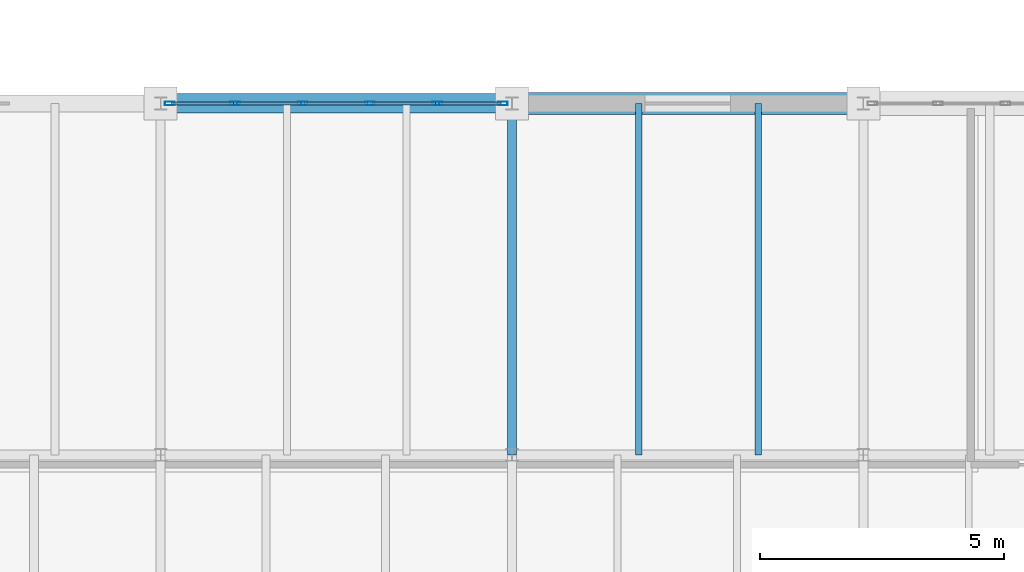
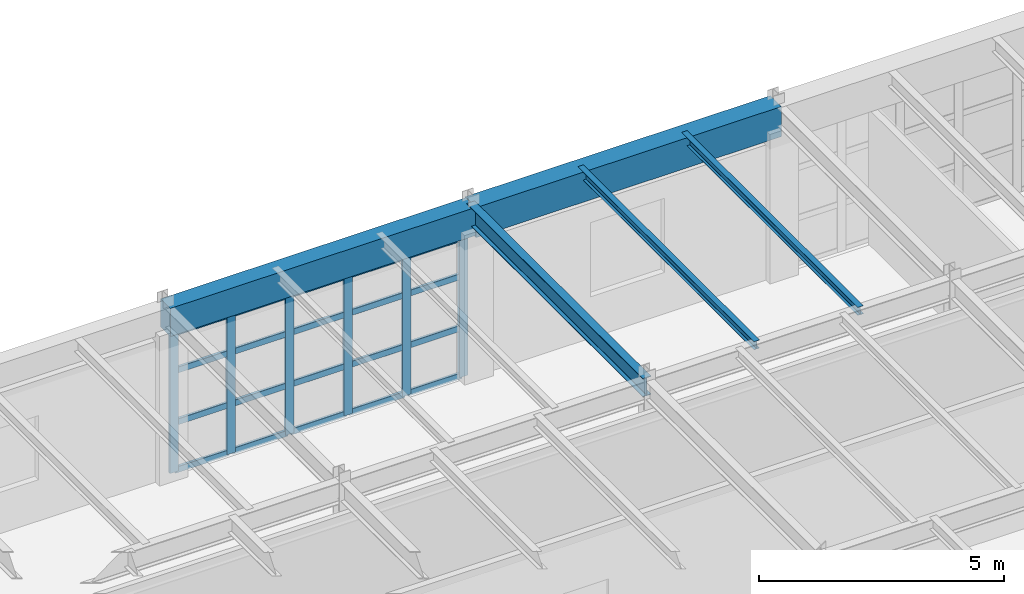
# One storey, part 72 of 137: 26 members, 5 beams, 1 element without a shape of its own.
"""IFC4 building model written with IfcOpenShell, lengths in metres."""

from ifc_helpers import new_model, si_unit, direction, frame, origin, origin_2d, place, context, subcontext, project, spatial, rectangle, hollow_rectangle, i_section, extrude, material, layer, layer_set, material_profile, profile_set, type_object, element, aggregate, save


model = new_model("IFC4")

# Units and contexts
model_context = context("Model", 3, precision=1e-05, world=origin(), true_north=direction((0.0, 1.0)))
body_context = subcontext(model_context, "Body", "Model", "MODEL_VIEW")
ifc_project = project(units=[si_unit("LENGTHUNIT", "METRE"), si_unit("AREAUNIT", "SQUARE_METRE"), si_unit("VOLUMEUNIT", "CUBIC_METRE"), si_unit("PLANEANGLEUNIT", "RADIAN"), si_unit("MASSUNIT", "GRAM", prefix="KILO")], contexts=[model_context])

# Site, building, storey
site_placement = place(None, origin())
site = spatial("IfcSite", under=ifc_project, at=site_placement, CompositionType="ELEMENT")
building_placement = place(site_placement, origin())
building = spatial("IfcBuilding", under=site, at=building_placement, Name="Kemerveld Promenade Tramway Depot", CompositionType="ELEMENT")
storey_placement = place(building_placement, frame((0.0, 0.0, 5.39990234375)))
storey = spatial("IfcBuildingStorey", under=building, at=storey_placement, Name="L01", CompositionType="ELEMENT", Elevation=5.39990234375)

# Beams
ifc_material_1 = material(Name="Steel S355", Category="steel")
ifc_material_profile_1 = material_profile(ifc_material_1, i_section(OverallWidth=0.19140625, OverallDepth=0.4599609375, WebThickness=0.010009765625, FlangeThickness=0.01611328125, FilletRadius=0.01025390625, at=origin_2d()), Name="457x191x82 UB")
ifc_profile_set_1 = profile_set([ifc_material_profile_1], Name="Steel S355")
beam_type_1 = type_object("IfcBeamType", Name="BM-G06", PredefinedType="BEAM", material=ifc_profile_set_1)
beam_1_placement = place(storey_placement, frame((136.800048828125, 21.60009765625, 4.030029296875), z_axis=(0.0, 1.0, 0.0), x_axis=(-1.0, 0.0, 0.0)))
element("IfcBeam", 1, at=beam_1_placement, inside=storey, type_object=beam_type_1, Name="BMY-L01-20-D-E", PredefinedType="BEAM", context=body_context, shape_type="SweptSolid", body=[
    extrude(i_section(OverallWidth=0.19140625, OverallDepth=0.4599609375, WebThickness=0.010009765625, FlangeThickness=0.01611328125, FilletRadius=0.01025390625, at=origin_2d()), origin(), (0.0, 0.0, 1.0), 7.199951171875),
])
ifc_material_profile_2 = material_profile(ifc_material_1, i_section(OverallWidth=0.13330078125, OverallDepth=0.203125, WebThickness=0.005615234375, FlangeThickness=0.0078125, FilletRadius=0.007568359375, at=origin_2d()), Name="203x133x25 UB")
ifc_profile_set_2 = profile_set([ifc_material_profile_2], Name="Steel S355")
beam_type_2 = type_object("IfcBeamType", Name="BM-J03", PredefinedType="JOIST", material=ifc_profile_set_2)
for number, where, z_axis, x_axis, name in (
    (2, (139.39208984375, 21.60009765625, 4.158447265625), (0.0, 1.0, 0.0), (-1.0, 0.0, 0.0), "JST-L01-20-D-1"),
    (3, (141.840087890625, 21.60009765625, 4.158447265625), (0.0, 1.0, 0.0), (-1.0, 0.0, 0.0), "JST-L01-20-D-2"),
):
    element("IfcBeam", number, at=place(storey_placement, frame(where, z_axis=z_axis, x_axis=x_axis)), inside=storey, type_object=beam_type_2, Name=name, PredefinedType="JOIST", context=body_context, shape_type="SweptSolid", body=[
        extrude(i_section(OverallWidth=0.13330078125, OverallDepth=0.203125, WebThickness=0.005615234375, FlangeThickness=0.0078125, FilletRadius=0.007568359375, at=origin_2d()), origin(), (0.0, 0.0, 1.0), 7.199951171875),
    ])
ifc_material_2 = material(Name="Concrete C40/50", Category="concrete")
ifc_material_profile_3 = material_profile(ifc_material_2, rectangle(XDim=0.39990234375, YDim=0.699951171875, at=origin_2d()), Name="RC-BM-400x700")
ifc_profile_set_3 = profile_set([ifc_material_profile_3], Name="Concrete C40/50")
beam_type_3 = type_object("IfcBeamType", Name="BM-RC5", PredefinedType="BEAM", material=ifc_profile_set_3)
beam_2_placement = place(storey_placement, frame((129.60009765625, 28.800048828125, 3.900146484375), z_axis=(1.0, 0.0, 0.0), x_axis=(0.0, 1.0, 0.0)))
element("IfcBeam", 4, at=beam_2_placement, inside=storey, type_object=beam_type_3, Name="BMX-L01-19-20-E", PredefinedType="BEAM", context=body_context, shape_type="SweptSolid", body=[
    extrude(rectangle(XDim=0.39990234375, YDim=0.699951171875, at=origin_2d()), origin(), (0.0, 0.0, 1.0), 7.199951171875),
])
ifc_material_profile_4 = material_profile(ifc_material_2, rectangle(XDim=0.449951171875, YDim=0.75, at=origin_2d()), Name="RC-BM-450x750")
ifc_profile_set_4 = profile_set([ifc_material_profile_4], Name="Concrete C40/50")
beam_type_4 = type_object("IfcBeamType", Name="BM-RC6", PredefinedType="BEAM", material=ifc_profile_set_4)
beam_3_placement = place(storey_placement, frame((136.800048828125, 28.800048828125, 3.885009765625), z_axis=(1.0, 0.0, 0.0), x_axis=(0.0, 1.0, 0.0)))
element("IfcBeam", 5, at=beam_3_placement, inside=storey, type_object=beam_type_4, Name="BMX-L01-20-21-E", PredefinedType="BEAM", context=body_context, shape_type="SweptSolid", body=[
    extrude(rectangle(XDim=0.449951171875, YDim=0.75, at=origin_2d()), origin(), (0.0, 0.0, 1.0), 7.199951171875),
])

# Curtain wall, members
ifc_material_3 = material(Name="Bronze anodised aluminium and solar glass", Category="aluminium")
ifc_layer = layer(ifc_material_3, 0.199951171875)
ifc_layer_set = layer_set([ifc_layer], Name="CW-SYS-14")
curtain_wall_type = type_object("IfcCurtainWallType", Name="CW-SYS-14", PredefinedType="USERDEFINED", material=ifc_layer_set)
curtain_wall_placement = place(storey_placement, origin())
curtain_wall = element("IfcCurtainWall", 6, at=curtain_wall_placement, inside=storey, type_object=curtain_wall_type, Name="CW-L01-V4N-11", ObjectType="GLAZED_CURTAIN_WALL", PredefinedType="USERDEFINED")
ifc_material_4 = material(Name="Bronze anodised aluminium", Category="aluminium")
ifc_material_profile_5 = material_profile(ifc_material_4, hollow_rectangle(XDim=0.074951171875, YDim=0.199951171875, WallThickness=0.0048828125, InnerFilletRadius=0.001953125, OuterFilletRadius=0.0048828125, at=origin_2d()), Name="CW-MUL-200x75")
ifc_profile_set_5 = profile_set([ifc_material_profile_5], Name="Bronze anodised aluminium")
member_type_1 = type_object("IfcMemberType", Name="CW-MUL-B", PredefinedType="MULLION", material=ifc_profile_set_5)
member_1_placement = place(storey_placement, frame((129.78759765625, 28.800048828125, 0.0), z_axis=(0.0, 0.0, 1.0), x_axis=(0.0, 1.0, 0.0)))
member_1 = element("IfcMember", 7, at=member_1_placement, type_object=member_type_1, Name="CW14 mullion 1", PredefinedType="MULLION", context=body_context, shape_type="SweptSolid", body=[
    extrude(hollow_rectangle(XDim=0.074951171875, YDim=0.199951171875, WallThickness=0.0048828125, InnerFilletRadius=0.001953125, OuterFilletRadius=0.0048828125, at=origin_2d()), origin(), (0.0, 0.0, 1.0), 3.489990234375),
])
member_2_placement = place(storey_placement, frame((131.130126953125, 28.800048828125, 0.0), z_axis=(0.0, 0.0, 1.0), x_axis=(0.0, 1.0, 0.0)))
member_2 = element("IfcMember", 8, at=member_2_placement, type_object=member_type_1, Name="CW14 mullion 2", PredefinedType="MULLION", context=body_context, shape_type="SweptSolid", body=[
    extrude(hollow_rectangle(XDim=0.074951171875, YDim=0.199951171875, WallThickness=0.0048828125, InnerFilletRadius=0.001953125, OuterFilletRadius=0.0048828125, at=origin_2d()), origin(), (0.0, 0.0, 1.0), 3.489990234375),
])
member_3_placement = place(storey_placement, frame((132.510009765625, 28.800048828125, 0.0), z_axis=(0.0, 0.0, 1.0), x_axis=(0.0, 1.0, 0.0)))
member_3 = element("IfcMember", 9, at=member_3_placement, type_object=member_type_1, Name="CW14 mullion 3", PredefinedType="MULLION", context=body_context, shape_type="SweptSolid", body=[
    extrude(hollow_rectangle(XDim=0.074951171875, YDim=0.199951171875, WallThickness=0.0048828125, InnerFilletRadius=0.001953125, OuterFilletRadius=0.0048828125, at=origin_2d()), origin(), (0.0, 0.0, 1.0), 3.489990234375),
])
member_4_placement = place(storey_placement, frame((133.889892578125, 28.800048828125, 0.0), z_axis=(0.0, 0.0, 1.0), x_axis=(0.0, 1.0, 0.0)))
member_4 = element("IfcMember", 10, at=member_4_placement, type_object=member_type_1, Name="CW14 mullion 4", PredefinedType="MULLION", context=body_context, shape_type="SweptSolid", body=[
    extrude(hollow_rectangle(XDim=0.074951171875, YDim=0.199951171875, WallThickness=0.0048828125, InnerFilletRadius=0.001953125, OuterFilletRadius=0.0048828125, at=origin_2d()), origin(), (0.0, 0.0, 1.0), 3.489990234375),
])
member_5_placement = place(storey_placement, frame((135.27001953125, 28.800048828125, 0.0), z_axis=(0.0, 0.0, 1.0), x_axis=(0.0, 1.0, 0.0)))
member_5 = element("IfcMember", 11, at=member_5_placement, type_object=member_type_1, Name="CW14 mullion 5", PredefinedType="MULLION", context=body_context, shape_type="SweptSolid", body=[
    extrude(hollow_rectangle(XDim=0.074951171875, YDim=0.199951171875, WallThickness=0.0048828125, InnerFilletRadius=0.001953125, OuterFilletRadius=0.0048828125, at=origin_2d()), origin(), (0.0, 0.0, 1.0), 3.489990234375),
])
member_6_placement = place(storey_placement, frame((136.6123046875, 28.800048828125, 0.0), z_axis=(0.0, 0.0, 1.0), x_axis=(0.0, 1.0, 0.0)))
member_6 = element("IfcMember", 12, at=member_6_placement, type_object=member_type_1, Name="CW14 mullion 6", PredefinedType="MULLION", context=body_context, shape_type="SweptSolid", body=[
    extrude(hollow_rectangle(XDim=0.074951171875, YDim=0.199951171875, WallThickness=0.0048828125, InnerFilletRadius=0.001953125, OuterFilletRadius=0.0048828125, at=origin_2d()), origin(), (0.0, 0.0, 1.0), 3.489990234375),
])
ifc_material_profile_6 = material_profile(ifc_material_4, hollow_rectangle(XDim=0.06494140625, YDim=0.14990234375, WallThickness=0.00439453125, InnerFilletRadius=0.001953125, OuterFilletRadius=0.00439453125, at=origin_2d()), Name="CW-TRN-150x65")
ifc_profile_set_6 = profile_set([ifc_material_profile_6], Name="Bronze anodised aluminium")
member_type_2 = type_object("IfcMemberType", Name="CW-TRN-B", PredefinedType="USERDEFINED", material=ifc_profile_set_6)
member_7_placement = place(storey_placement, frame((129.8251953125, 28.800048828125, 0.03271484375), z_axis=(1.0, 0.0, 0.0), x_axis=(0.0, 1.0, 0.0)))
member_7 = element("IfcMember", 13, at=member_7_placement, type_object=member_type_2, Name="CW14 transom 1.1", ObjectType="TRANSOM", PredefinedType="USERDEFINED", context=body_context, shape_type="SweptSolid", body=[
    extrude(hollow_rectangle(XDim=0.06494140625, YDim=0.14990234375, WallThickness=0.00439453125, InnerFilletRadius=0.001953125, OuterFilletRadius=0.00439453125, at=origin_2d()), origin(), (0.0, 0.0, 1.0), 1.267333984375),
])
member_8_placement = place(storey_placement, frame((129.8251953125, 28.800048828125, 1.22216796875), z_axis=(1.0, 0.0, 0.0), x_axis=(0.0, 1.0, 0.0)))
member_8 = element("IfcMember", 14, at=member_8_placement, type_object=member_type_2, Name="CW14 transom 1.2", ObjectType="TRANSOM", PredefinedType="USERDEFINED", context=body_context, shape_type="SweptSolid", body=[
    extrude(hollow_rectangle(XDim=0.06494140625, YDim=0.14990234375, WallThickness=0.00439453125, InnerFilletRadius=0.001953125, OuterFilletRadius=0.00439453125, at=origin_2d()), origin(), (0.0, 0.0, 1.0), 1.267333984375),
])
member_9_placement = place(storey_placement, frame((129.8251953125, 28.800048828125, 2.51318359375), z_axis=(1.0, 0.0, 0.0), x_axis=(0.0, 1.0, 0.0)))
member_9 = element("IfcMember", 15, at=member_9_placement, type_object=member_type_2, Name="CW14 transom 1.3", ObjectType="TRANSOM", PredefinedType="USERDEFINED", context=body_context, shape_type="SweptSolid", body=[
    extrude(hollow_rectangle(XDim=0.06494140625, YDim=0.14990234375, WallThickness=0.00439453125, InnerFilletRadius=0.001953125, OuterFilletRadius=0.00439453125, at=origin_2d()), origin(), (0.0, 0.0, 1.0), 1.267333984375),
])
member_10_placement = place(storey_placement, frame((129.8251953125, 28.800048828125, 3.45751953125), z_axis=(1.0, 0.0, 0.0), x_axis=(0.0, 1.0, 0.0)))
member_10 = element("IfcMember", 16, at=member_10_placement, type_object=member_type_2, Name="CW14 transom 1.4", ObjectType="TRANSOM", PredefinedType="USERDEFINED", context=body_context, shape_type="SweptSolid", body=[
    extrude(hollow_rectangle(XDim=0.06494140625, YDim=0.14990234375, WallThickness=0.00439453125, InnerFilletRadius=0.001953125, OuterFilletRadius=0.00439453125, at=origin_2d()), origin(), (0.0, 0.0, 1.0), 1.267333984375),
])
member_11_placement = place(storey_placement, frame((131.16748046875, 28.800048828125, 0.03271484375), z_axis=(1.0, 0.0, 0.0), x_axis=(0.0, 1.0, 0.0)))
member_11 = element("IfcMember", 17, at=member_11_placement, type_object=member_type_2, Name="CW14 transom 2.1", ObjectType="TRANSOM", PredefinedType="USERDEFINED", context=body_context, shape_type="SweptSolid", body=[
    extrude(hollow_rectangle(XDim=0.06494140625, YDim=0.14990234375, WallThickness=0.00439453125, InnerFilletRadius=0.001953125, OuterFilletRadius=0.00439453125, at=origin_2d()), origin(), (0.0, 0.0, 1.0), 1.304931640625),
])
member_12_placement = place(storey_placement, frame((131.16748046875, 28.800048828125, 1.22216796875), z_axis=(1.0, 0.0, 0.0), x_axis=(0.0, 1.0, 0.0)))
member_12 = element("IfcMember", 18, at=member_12_placement, type_object=member_type_2, Name="CW14 transom 2.2", ObjectType="TRANSOM", PredefinedType="USERDEFINED", context=body_context, shape_type="SweptSolid", body=[
    extrude(hollow_rectangle(XDim=0.06494140625, YDim=0.14990234375, WallThickness=0.00439453125, InnerFilletRadius=0.001953125, OuterFilletRadius=0.00439453125, at=origin_2d()), origin(), (0.0, 0.0, 1.0), 1.304931640625),
])
member_13_placement = place(storey_placement, frame((131.16748046875, 28.800048828125, 2.51318359375), z_axis=(1.0, 0.0, 0.0), x_axis=(0.0, 1.0, 0.0)))
member_13 = element("IfcMember", 19, at=member_13_placement, type_object=member_type_2, Name="CW14 transom 2.3", ObjectType="TRANSOM", PredefinedType="USERDEFINED", context=body_context, shape_type="SweptSolid", body=[
    extrude(hollow_rectangle(XDim=0.06494140625, YDim=0.14990234375, WallThickness=0.00439453125, InnerFilletRadius=0.001953125, OuterFilletRadius=0.00439453125, at=origin_2d()), origin(), (0.0, 0.0, 1.0), 1.304931640625),
])
member_14_placement = place(storey_placement, frame((131.16748046875, 28.800048828125, 3.45751953125), z_axis=(1.0, 0.0, 0.0), x_axis=(0.0, 1.0, 0.0)))
member_14 = element("IfcMember", 20, at=member_14_placement, type_object=member_type_2, Name="CW14 transom 2.4", ObjectType="TRANSOM", PredefinedType="USERDEFINED", context=body_context, shape_type="SweptSolid", body=[
    extrude(hollow_rectangle(XDim=0.06494140625, YDim=0.14990234375, WallThickness=0.00439453125, InnerFilletRadius=0.001953125, OuterFilletRadius=0.00439453125, at=origin_2d()), origin(), (0.0, 0.0, 1.0), 1.304931640625),
])
member_15_placement = place(storey_placement, frame((132.547607421875, 28.800048828125, 0.03271484375), z_axis=(1.0, 0.0, 0.0), x_axis=(0.0, 1.0, 0.0)))
member_15 = element("IfcMember", 21, at=member_15_placement, type_object=member_type_2, Name="CW14 transom 3.1", ObjectType="TRANSOM", PredefinedType="USERDEFINED", context=body_context, shape_type="SweptSolid", body=[
    extrude(hollow_rectangle(XDim=0.06494140625, YDim=0.14990234375, WallThickness=0.00439453125, InnerFilletRadius=0.001953125, OuterFilletRadius=0.00439453125, at=origin_2d()), origin(), (0.0, 0.0, 1.0), 1.304931640625),
])
member_16_placement = place(storey_placement, frame((132.547607421875, 28.800048828125, 1.22216796875), z_axis=(1.0, 0.0, 0.0), x_axis=(0.0, 1.0, 0.0)))
member_16 = element("IfcMember", 22, at=member_16_placement, type_object=member_type_2, Name="CW14 transom 3.2", ObjectType="TRANSOM", PredefinedType="USERDEFINED", context=body_context, shape_type="SweptSolid", body=[
    extrude(hollow_rectangle(XDim=0.06494140625, YDim=0.14990234375, WallThickness=0.00439453125, InnerFilletRadius=0.001953125, OuterFilletRadius=0.00439453125, at=origin_2d()), origin(), (0.0, 0.0, 1.0), 1.304931640625),
])
member_17_placement = place(storey_placement, frame((132.547607421875, 28.800048828125, 2.51318359375), z_axis=(1.0, 0.0, 0.0), x_axis=(0.0, 1.0, 0.0)))
member_17 = element("IfcMember", 23, at=member_17_placement, type_object=member_type_2, Name="CW14 transom 3.3", ObjectType="TRANSOM", PredefinedType="USERDEFINED", context=body_context, shape_type="SweptSolid", body=[
    extrude(hollow_rectangle(XDim=0.06494140625, YDim=0.14990234375, WallThickness=0.00439453125, InnerFilletRadius=0.001953125, OuterFilletRadius=0.00439453125, at=origin_2d()), origin(), (0.0, 0.0, 1.0), 1.304931640625),
])
member_18_placement = place(storey_placement, frame((132.547607421875, 28.800048828125, 3.45751953125), z_axis=(1.0, 0.0, 0.0), x_axis=(0.0, 1.0, 0.0)))
member_18 = element("IfcMember", 24, at=member_18_placement, type_object=member_type_2, Name="CW14 transom 3.4", ObjectType="TRANSOM", PredefinedType="USERDEFINED", context=body_context, shape_type="SweptSolid", body=[
    extrude(hollow_rectangle(XDim=0.06494140625, YDim=0.14990234375, WallThickness=0.00439453125, InnerFilletRadius=0.001953125, OuterFilletRadius=0.00439453125, at=origin_2d()), origin(), (0.0, 0.0, 1.0), 1.304931640625),
])
member_19_placement = place(storey_placement, frame((133.927490234375, 28.800048828125, 0.03271484375), z_axis=(1.0, 0.0, 0.0), x_axis=(0.0, 1.0, 0.0)))
member_19 = element("IfcMember", 25, at=member_19_placement, type_object=member_type_2, Name="CW14 transom 4.1", ObjectType="TRANSOM", PredefinedType="USERDEFINED", context=body_context, shape_type="SweptSolid", body=[
    extrude(hollow_rectangle(XDim=0.06494140625, YDim=0.14990234375, WallThickness=0.00439453125, InnerFilletRadius=0.001953125, OuterFilletRadius=0.00439453125, at=origin_2d()), origin(), (0.0, 0.0, 1.0), 1.304931640625),
])
member_20_placement = place(storey_placement, frame((133.927490234375, 28.800048828125, 1.22216796875), z_axis=(1.0, 0.0, 0.0), x_axis=(0.0, 1.0, 0.0)))
member_20 = element("IfcMember", 26, at=member_20_placement, type_object=member_type_2, Name="CW14 transom 4.2", ObjectType="TRANSOM", PredefinedType="USERDEFINED", context=body_context, shape_type="SweptSolid", body=[
    extrude(hollow_rectangle(XDim=0.06494140625, YDim=0.14990234375, WallThickness=0.00439453125, InnerFilletRadius=0.001953125, OuterFilletRadius=0.00439453125, at=origin_2d()), origin(), (0.0, 0.0, 1.0), 1.304931640625),
])
member_21_placement = place(storey_placement, frame((133.927490234375, 28.800048828125, 2.51318359375), z_axis=(1.0, 0.0, 0.0), x_axis=(0.0, 1.0, 0.0)))
member_21 = element("IfcMember", 27, at=member_21_placement, type_object=member_type_2, Name="CW14 transom 4.3", ObjectType="TRANSOM", PredefinedType="USERDEFINED", context=body_context, shape_type="SweptSolid", body=[
    extrude(hollow_rectangle(XDim=0.06494140625, YDim=0.14990234375, WallThickness=0.00439453125, InnerFilletRadius=0.001953125, OuterFilletRadius=0.00439453125, at=origin_2d()), origin(), (0.0, 0.0, 1.0), 1.304931640625),
])
member_22_placement = place(storey_placement, frame((133.927490234375, 28.800048828125, 3.45751953125), z_axis=(1.0, 0.0, 0.0), x_axis=(0.0, 1.0, 0.0)))
member_22 = element("IfcMember", 28, at=member_22_placement, type_object=member_type_2, Name="CW14 transom 4.4", ObjectType="TRANSOM", PredefinedType="USERDEFINED", context=body_context, shape_type="SweptSolid", body=[
    extrude(hollow_rectangle(XDim=0.06494140625, YDim=0.14990234375, WallThickness=0.00439453125, InnerFilletRadius=0.001953125, OuterFilletRadius=0.00439453125, at=origin_2d()), origin(), (0.0, 0.0, 1.0), 1.304931640625),
])
member_23_placement = place(storey_placement, frame((135.307373046875, 28.800048828125, 0.03271484375), z_axis=(1.0, 0.0, 0.0), x_axis=(0.0, 1.0, 0.0)))
member_23 = element("IfcMember", 29, at=member_23_placement, type_object=member_type_2, Name="CW14 transom 5.1", ObjectType="TRANSOM", PredefinedType="USERDEFINED", context=body_context, shape_type="SweptSolid", body=[
    extrude(hollow_rectangle(XDim=0.06494140625, YDim=0.14990234375, WallThickness=0.00439453125, InnerFilletRadius=0.001953125, OuterFilletRadius=0.00439453125, at=origin_2d()), origin(), (0.0, 0.0, 1.0), 1.267578125),
])
member_24_placement = place(storey_placement, frame((135.307373046875, 28.800048828125, 1.22216796875), z_axis=(1.0, 0.0, 0.0), x_axis=(0.0, 1.0, 0.0)))
member_24 = element("IfcMember", 30, at=member_24_placement, type_object=member_type_2, Name="CW14 transom 5.2", ObjectType="TRANSOM", PredefinedType="USERDEFINED", context=body_context, shape_type="SweptSolid", body=[
    extrude(hollow_rectangle(XDim=0.06494140625, YDim=0.14990234375, WallThickness=0.00439453125, InnerFilletRadius=0.001953125, OuterFilletRadius=0.00439453125, at=origin_2d()), origin(), (0.0, 0.0, 1.0), 1.267578125),
])
member_25_placement = place(storey_placement, frame((135.307373046875, 28.800048828125, 2.51318359375), z_axis=(1.0, 0.0, 0.0), x_axis=(0.0, 1.0, 0.0)))
member_25 = element("IfcMember", 31, at=member_25_placement, type_object=member_type_2, Name="CW14 transom 5.3", ObjectType="TRANSOM", PredefinedType="USERDEFINED", context=body_context, shape_type="SweptSolid", body=[
    extrude(hollow_rectangle(XDim=0.06494140625, YDim=0.14990234375, WallThickness=0.00439453125, InnerFilletRadius=0.001953125, OuterFilletRadius=0.00439453125, at=origin_2d()), origin(), (0.0, 0.0, 1.0), 1.267578125),
])
member_26_placement = place(storey_placement, frame((135.307373046875, 28.800048828125, 3.45751953125), z_axis=(1.0, 0.0, 0.0), x_axis=(0.0, 1.0, 0.0)))
member_26 = element("IfcMember", 32, at=member_26_placement, type_object=member_type_2, Name="CW14 transom 5.4", ObjectType="TRANSOM", PredefinedType="USERDEFINED", context=body_context, shape_type="SweptSolid", body=[
    extrude(hollow_rectangle(XDim=0.06494140625, YDim=0.14990234375, WallThickness=0.00439453125, InnerFilletRadius=0.001953125, OuterFilletRadius=0.00439453125, at=origin_2d()), origin(), (0.0, 0.0, 1.0), 1.267578125),
])
aggregate(curtain_wall, [member_1, member_2, member_3, member_4, member_5, member_6, member_7, member_8, member_9, member_10, member_11, member_12, member_13, member_14, member_15, member_16, member_17, member_18, member_19, member_20, member_21, member_22, member_23, member_24, member_25, member_26])

save(model, "model.ifc")
